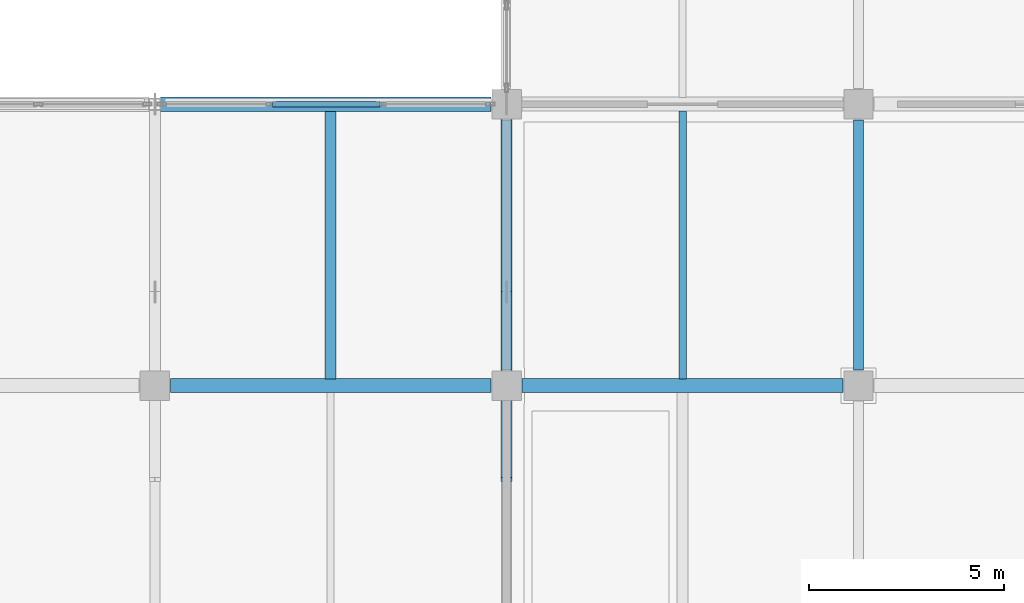
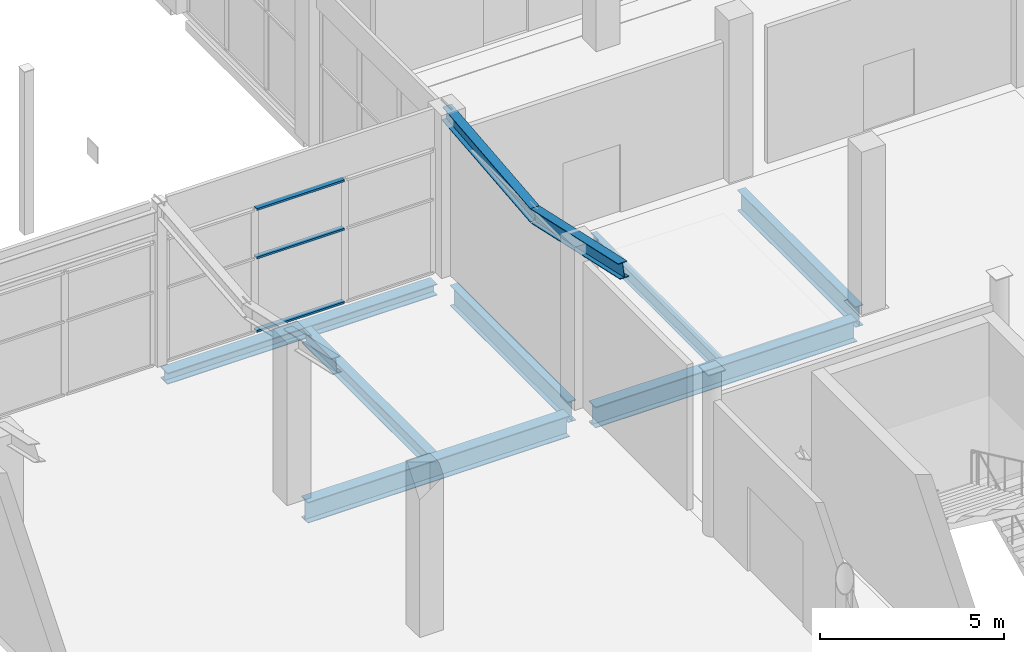
# One storey, part 89 of 189: 7 beams, 5 members, 1 element without a shape of its own.
"""IFC4 building model written with IfcOpenShell, lengths in metres."""

from ifc_helpers import new_model, si_unit, direction, frame, origin, origin_2d, place, context, subcontext, project, spatial, hollow_rectangle, i_section, extrude, material, layer, layer_set, material_profile, profile_set, type_object, element, aggregate, save


model = new_model("IFC4")

# Units and contexts
model_context = context("Model", 3, precision=1e-05, world=origin(), true_north=direction((0.0, 1.0)))
body_context = subcontext(model_context, "Body", "Model", "MODEL_VIEW")
ifc_project = project(units=[si_unit("LENGTHUNIT", "METRE"), si_unit("AREAUNIT", "SQUARE_METRE"), si_unit("VOLUMEUNIT", "CUBIC_METRE"), si_unit("PLANEANGLEUNIT", "RADIAN"), si_unit("MASSUNIT", "GRAM", prefix="KILO")], contexts=[model_context])

# Site, building, storey
site_placement = place(None, origin())
site = spatial("IfcSite", under=ifc_project, at=site_placement, CompositionType="ELEMENT")
building_placement = place(site_placement, origin())
building = spatial("IfcBuilding", under=site, at=building_placement, Name="Celestram Park Convention Centre", CompositionType="ELEMENT")
storey_placement = place(building_placement, frame((0.0, 0.0, 5.39990234375)))
storey = spatial("IfcBuildingStorey", under=building, at=storey_placement, Name="L01", CompositionType="ELEMENT", Elevation=5.39990234375)

# Curtain wall, members
ifc_material_1 = material(Name="Anodised Aluminium Alloy 6063-T6", Category="aluminium")
ifc_layer = layer(ifc_material_1, 0.179931640625)
ifc_layer_set = layer_set([ifc_layer], Name="Anodised Aluminium Alloy 6063-T6")
curtain_wall_type = type_object("IfcCurtainWallType", Name="ARC-CW-848X410", PredefinedType="NOTDEFINED", material=ifc_layer_set)
curtain_wall_placement = place(storey_placement, origin())
curtain_wall = element("IfcCurtainWall", 1, at=curtain_wall_placement, inside=storey, type_object=curtain_wall_type, Name="Unitised curtain wall CU-L01-050", PredefinedType="NOTDEFINED")
ifc_material_profile_1 = material_profile(ifc_material_1, hollow_rectangle(XDim=0.14990234375, YDim=0.06494140625, WallThickness=0.0029296875, at=origin_2d()), Name="ALU150X65X3")
ifc_profile_set_1 = profile_set([ifc_material_profile_1], Name="Anodised Aluminium Alloy 6063-T6")
member_type_1 = type_object("IfcMemberType", Name="ARC-CWT-150", PredefinedType="USERDEFINED", material=ifc_profile_set_1)
member_1_placement = place(storey_placement, frame((30.01171875, 136.800048828125, 0.03271484375), z_axis=(1.0, 0.0, 0.0), x_axis=(0.0, 1.0, 0.0)))
member_1 = element("IfcMember", 2, at=member_1_placement, type_object=member_type_1, Name="CW-84X41 transom 2.1", ObjectType="TRANSOM", PredefinedType="USERDEFINED", context=body_context, shape_type="SweptSolid", body=[
    extrude(hollow_rectangle(XDim=0.14990234375, YDim=0.06494140625, WallThickness=0.0029296875, at=origin_2d()), origin(), (0.0, 0.0, 1.0), 2.75146484375),
])
member_2_placement = place(storey_placement, frame((30.01171875, 136.800048828125, 2.460205078125), z_axis=(1.0, 0.0, 0.0), x_axis=(0.0, 1.0, 0.0)))
member_2 = element("IfcMember", 3, at=member_2_placement, type_object=member_type_1, Name="CW-84X41 transom 2.2", ObjectType="TRANSOM", PredefinedType="USERDEFINED", context=body_context, shape_type="SweptSolid", body=[
    extrude(hollow_rectangle(XDim=0.14990234375, YDim=0.06494140625, WallThickness=0.0029296875, at=origin_2d()), origin(), (0.0, 0.0, 1.0), 2.75146484375),
])
member_3_placement = place(storey_placement, frame((30.01171875, 136.800048828125, 4.067626953125), z_axis=(1.0, 0.0, 0.0), x_axis=(0.0, 1.0, 0.0)))
member_3 = element("IfcMember", 4, at=member_3_placement, type_object=member_type_1, Name="CW-84X41 transom 2.3", ObjectType="TRANSOM", PredefinedType="USERDEFINED", context=body_context, shape_type="SweptSolid", body=[
    extrude(hollow_rectangle(XDim=0.14990234375, YDim=0.06494140625, WallThickness=0.0029296875, at=origin_2d()), origin(), (0.0, 0.0, 1.0), 2.75146484375),
])
aggregate(curtain_wall, [member_1, member_2, member_3])

# Beams
ifc_material_2 = material(Name="Steel ASTM A992 Grade 50", Category="steel")
ifc_material_profile_2 = material_profile(ifc_material_2, i_section(OverallWidth=0.35595703125, OverallDepth=0.696044921875, WebThickness=0.015380859375, FlangeThickness=0.02490234375, at=origin_2d()), Name="W27X146")
ifc_profile_set_2 = profile_set([ifc_material_profile_2], Name="Steel ASTM A992 Grade 50")
beam_type_1 = type_object("IfcBeamType", Name="STR-BM-W27X146", PredefinedType="BEAM", material=ifc_profile_set_2)
for number, where, z_axis, x_axis, name in (
    (5, (27.39794921875, 129.60009765625, -0.6279296875), (1.0, 0.0, 0.0), (0.0, 1.0, 0.0), "Primary X-girder BG-L01-0033"),
    (6, (36.39794921875, 129.60009765625, -0.6279296875), (1.0, 0.0, 0.0), (0.0, 1.0, 0.0), "Primary X-girder BG-L01-0048"),
):
    element("IfcBeam", number, at=place(storey_placement, frame(where, z_axis=z_axis, x_axis=x_axis)), inside=storey, type_object=beam_type_1, Name=name, PredefinedType="BEAM", context=body_context, shape_type="SweptSolid", body=[
        extrude(i_section(OverallWidth=0.35595703125, OverallDepth=0.696044921875, WebThickness=0.015380859375, FlangeThickness=0.02490234375, at=origin_2d()), origin(), (0.0, 0.0, 1.0), 8.2041015625),
    ])
ifc_material_profile_3 = material_profile(ifc_material_2, i_section(OverallWidth=0.25390625, OverallDepth=0.68310546875, WebThickness=0.012451171875, FlangeThickness=0.01904296875, at=origin_2d()), Name="W27X94")
ifc_profile_set_3 = profile_set([ifc_material_profile_3], Name="Steel ASTM A992 Grade 50")
beam_type_2 = type_object("IfcBeamType", Name="STR-BM-W27X94", PredefinedType="BEAM", material=ifc_profile_set_3)
for number, where, z_axis, x_axis, name in (
    (7, (36.0, 129.998046875, -0.621337890625), (0.0, 1.0, 0.0), (-1.0, 0.0, 0.0), "Primary Y-girder BG-L01-0049"),
    (8, (45.0, 129.998046875, -0.621337890625), (0.0, 1.0, 0.0), (-1.0, 0.0, 0.0), "Primary Y-girder BG-L01-0070"),
):
    element("IfcBeam", number, at=place(storey_placement, frame(where, z_axis=z_axis, x_axis=x_axis)), inside=storey, type_object=beam_type_2, Name=name, PredefinedType="BEAM", context=body_context, shape_type="SweptSolid", body=[
        extrude(i_section(OverallWidth=0.25390625, OverallDepth=0.68310546875, WebThickness=0.012451171875, FlangeThickness=0.01904296875, at=origin_2d()), origin(), (0.0, 0.0, 1.0), 6.404052734375),
    ])

# Members
ifc_material_profile_4 = material_profile(ifc_material_2, i_section(OverallWidth=0.281982421875, OverallDepth=0.467041015625, WebThickness=0.01220703125, FlangeThickness=0.01953125, at=origin_2d()), Name="W18X86")
ifc_profile_set_4 = profile_set([ifc_material_profile_4], Name="Steel ASTM A992 Grade 50")
member_type_2 = type_object("IfcMemberType", Name="STR-CHD-W18X86", PredefinedType="CHORD", material=ifc_profile_set_4)
member_4_placement = place(storey_placement, frame((36.0, 127.199951171875, 5.747314453125), z_axis=(0.0, 0.976198741481, -0.216877885295), x_axis=(-1.0, 0.0, 0.0)))
element("IfcMember", 9, at=member_4_placement, inside=storey, type_object=member_type_2, Name="WPV arch bottom chord", PredefinedType="CHORD", context=body_context, shape_type="SweptSolid", body=[
    extrude(i_section(OverallWidth=0.281982421875, OverallDepth=0.467041015625, WebThickness=0.01220703125, FlangeThickness=0.01953125, at=origin_2d()), origin(), (0.0, 0.0, 1.0), 4.9169921875),
])
member_5_placement = place(storey_placement, frame((36.0, 132.0, 4.680908203125), z_axis=(0.0, 0.994972344387, 0.100150056942), x_axis=(-1.0, 0.0, 0.0)))
element("IfcMember", 10, at=member_5_placement, inside=storey, type_object=member_type_2, Name="WPV arch bottom chord", PredefinedType="CHORD", context=body_context, shape_type="SweptSolid", body=[
    extrude(i_section(OverallWidth=0.281982421875, OverallDepth=0.467041015625, WebThickness=0.01220703125, FlangeThickness=0.01953125, at=origin_2d()), origin(), (0.0, 0.0, 1.0), 4.82421875),
])

# Beams
ifc_material_profile_5 = material_profile(ifc_material_2, i_section(OverallWidth=0.19091796875, OverallDepth=0.45703125, WebThickness=0.009033203125, FlangeThickness=0.014404296875, at=origin_2d()), Name="W18X50")
ifc_profile_set_5 = profile_set([ifc_material_profile_5], Name="Steel ASTM A992 Grade 50")
beam_type_3 = type_object("IfcBeamType", Name="STR-JST-W18X50", PredefinedType="JOIST", material=ifc_profile_set_5)
beam_1_placement = place(storey_placement, frame((40.5, 129.77392578125, -0.50830078125), z_axis=(0.0, 1.0, 0.0), x_axis=(-1.0, 0.0, 0.0)))
element("IfcBeam", 11, at=beam_1_placement, inside=storey, type_object=beam_type_3, Name="Secondary composite joist BG-L01-0563", PredefinedType="JOIST", context=body_context, shape_type="SweptSolid", body=[
    extrude(i_section(OverallWidth=0.19091796875, OverallDepth=0.45703125, WebThickness=0.009033203125, FlangeThickness=0.014404296875, at=origin_2d()), origin(), (0.0, 0.0, 1.0), 6.85205078125),
])
ifc_material_profile_6 = material_profile(ifc_material_2, i_section(OverallWidth=0.281982421875, OverallDepth=0.467041015625, WebThickness=0.01220703125, FlangeThickness=0.01953125, at=origin_2d()), Name="W18X86")
ifc_profile_set_6 = profile_set([ifc_material_profile_6], Name="Steel ASTM A992 Grade 50")
beam_type_4 = type_object("IfcBeamType", Name="STR-JST-W18X86", PredefinedType="JOIST", material=ifc_profile_set_6)
beam_2_placement = place(storey_placement, frame((31.5, 129.77392578125, -0.513427734375), z_axis=(0.0, 1.0, 0.0), x_axis=(-1.0, 0.0, 0.0)))
element("IfcBeam", 12, at=beam_2_placement, inside=storey, type_object=beam_type_4, Name="Secondary composite joist BG-L01-0558", PredefinedType="JOIST", context=body_context, shape_type="SweptSolid", body=[
    extrude(i_section(OverallWidth=0.281982421875, OverallDepth=0.467041015625, WebThickness=0.01220703125, FlangeThickness=0.01953125, at=origin_2d()), origin(), (0.0, 0.0, 1.0), 6.843994140625),
])
ifc_material_profile_7 = material_profile(ifc_material_2, i_section(OverallWidth=0.373046875, OverallDepth=0.373046875, WebThickness=0.016357421875, FlangeThickness=0.026123046875, at=origin_2d()), Name="W14X132")
ifc_profile_set_7 = profile_set([ifc_material_profile_7], Name="Steel ASTM A992 Grade 50")
beam_type_5 = type_object("IfcBeamType", Name="STR-SPN-W14X132", PredefinedType="SPANDREL", material=ifc_profile_set_7)
beam_3_placement = place(storey_placement, frame((27.14794921875, 136.800048828125, -0.46630859375), z_axis=(1.0, 0.0, 0.0), x_axis=(0.0, 1.0, 0.0)))
element("IfcBeam", 13, at=beam_3_placement, inside=storey, type_object=beam_type_5, Name="Primary X-girder BG-L01-0035", PredefinedType="SPANDREL", context=body_context, shape_type="SweptSolid", body=[
    extrude(i_section(OverallWidth=0.373046875, OverallDepth=0.373046875, WebThickness=0.016357421875, FlangeThickness=0.026123046875, at=origin_2d()), origin(), (0.0, 0.0, 1.0), 8.4541015625),
])

save(model, "model.ifc")
